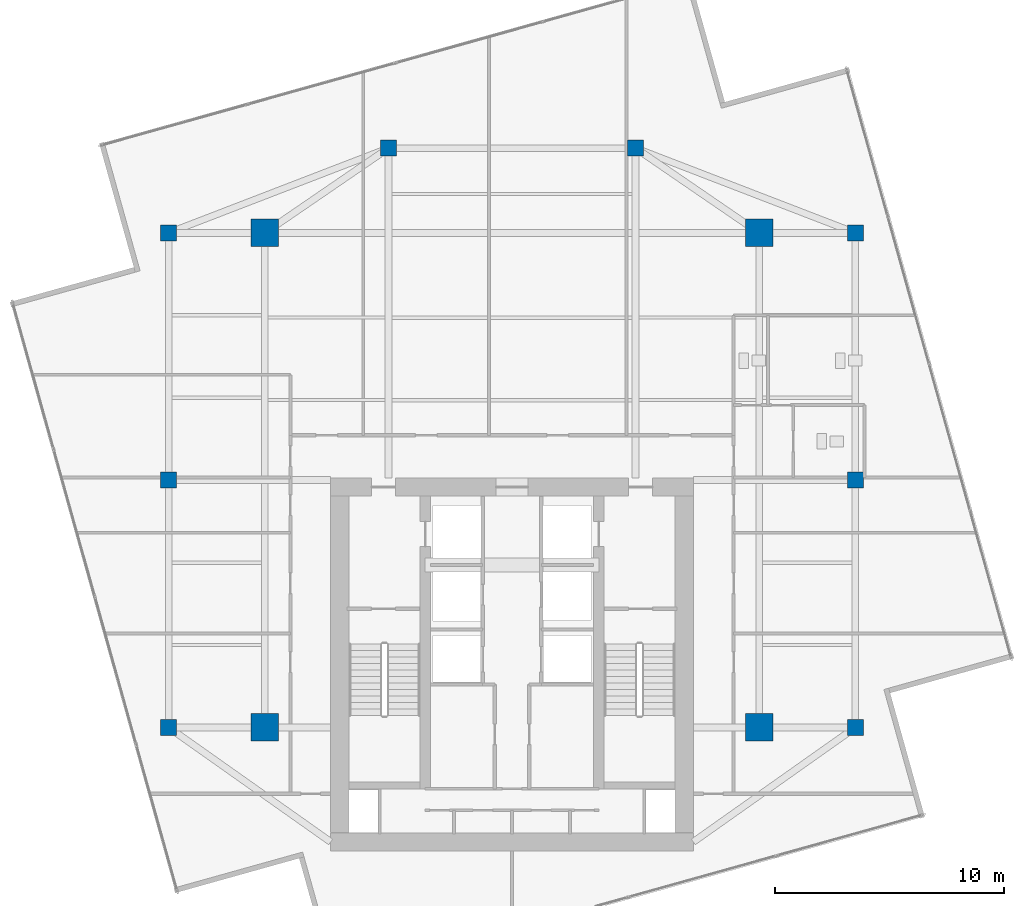
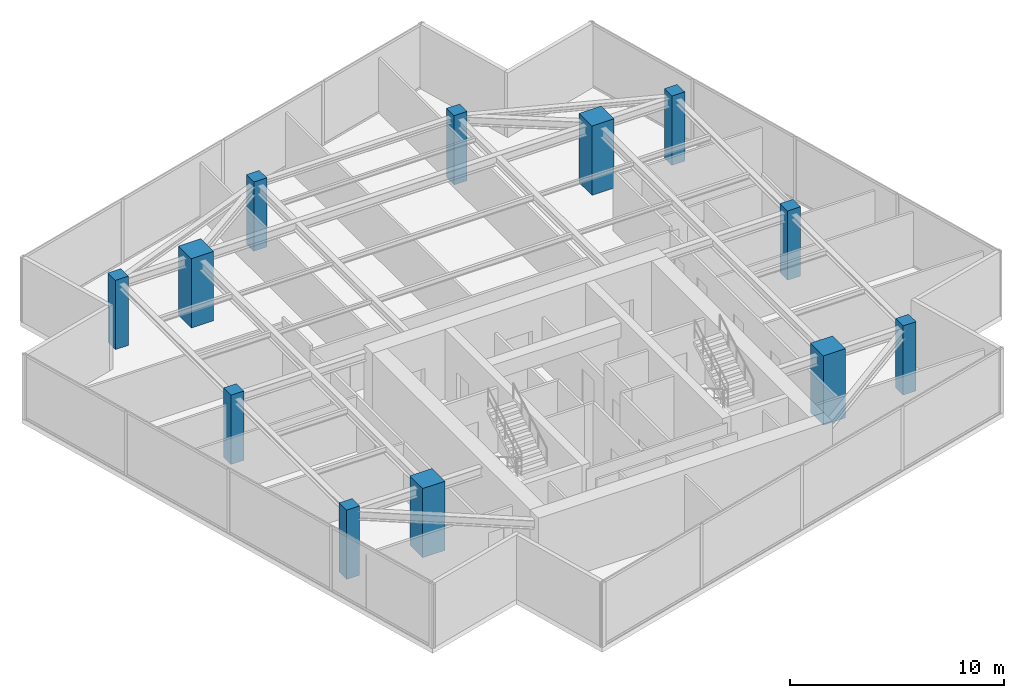
# One storey, part 1 of 21: 12 columns.
"""IFC4 building model written with IfcOpenShell, lengths in metres."""

from ifc_helpers import new_model, si_unit, direction, frame, origin, origin_2d, place, context, subcontext, project, spatial, rectangle, extrude, source, transform, mapped, material, material_profile, profile_set, type_object, type_shapes, element, save


model = new_model("IFC4")

# Units and contexts
model_context = context("Model", 3, precision=1e-05, world=origin(), true_north=direction((0.0, 1.0)))
body_context = subcontext(model_context, "Body", "Model", "MODEL_VIEW")
ifc_project = project(units=[si_unit("LENGTHUNIT", "METRE"), si_unit("AREAUNIT", "SQUARE_METRE"), si_unit("VOLUMEUNIT", "CUBIC_METRE"), si_unit("PLANEANGLEUNIT", "RADIAN"), si_unit("MASSUNIT", "GRAM", prefix="KILO")], contexts=[model_context])

# Site, building, storey
site_placement = place(None, origin())
site = spatial("IfcSite", under=ifc_project, at=site_placement, CompositionType="ELEMENT")
building_placement = place(site_placement, origin())
building = spatial("IfcBuilding", under=site, at=building_placement, Name="Krantzveldt Concourse Tower", CompositionType="ELEMENT")
storey_placement = place(building_placement, frame((0.0, 0.0, 347.449951171875)))
storey = spatial("IfcBuildingStorey", under=building, at=storey_placement, Name="L85", CompositionType="ELEMENT", Elevation=347.449951171875)

# Columns
ifc_material = material(Name="Concrete C50/60", Category="concrete")
ifc_material_profile_1 = material_profile(ifc_material, rectangle(XDim=1.199951171875, YDim=1.199951171875, at=origin_2d()), Name="Concrete C50/60", Category="concrete")
ifc_profile_set_1 = profile_set([ifc_material_profile_1], Name="Concrete C50/60 - RC 1200x1200")
column_type_1 = type_object("IfcColumnType", Name="COL-MC-1200", PredefinedType="USERDEFINED", material=ifc_profile_set_1)
shared_shape_1 = source(origin(), body_context, "Body", "SweptSolid", [
    extrude(rectangle(XDim=1.199951171875, YDim=1.199951171875, at=origin_2d()), origin(), (0.0, 0.0, 1.0), 3.949951171875),
])
type_shapes(column_type_1, [shared_shape_1])
for number, where, z_axis, x_axis, name in (
    (1, (25.199951171875, 15.89990234375, 0.0), (0.0, 0.0, 1.0), (1.0, 0.0, 0.0), "MC-SW-L85"),
    (2, (46.800048828125, 15.89990234375, 0.0), (0.0, 0.0, 1.0), (1.0, 0.0, 0.0), "MC-SE-L85"),
    (3, (46.800048828125, 37.5, 0.0), (0.0, 0.0, 1.0), (1.0, 0.0, 0.0), "MC-NE-L85"),
    (4, (25.199951171875, 37.5, 0.0), (0.0, 0.0, 1.0), (1.0, 0.0, 0.0), "MC-NW-L85"),
):
    element("IfcColumn", number, at=place(storey_placement, frame(where, z_axis=z_axis, x_axis=x_axis)), inside=storey, type_object=column_type_1, Name=name, ObjectType="MEGA COLUMN", PredefinedType="USERDEFINED", context=body_context, shape_type="MappedRepresentation", body=[
        mapped(shared_shape_1, transform((0.0, 0.0, 0.0), x_axis=(1.0, 0.0, 0.0), y_axis=(0.0, 1.0, 0.0), z_axis=(0.0, 0.0, 1.0), scale=1.0)),
    ])
ifc_material_profile_2 = material_profile(ifc_material, rectangle(XDim=0.699951171875, YDim=0.699951171875, at=origin_2d()), Name="Concrete C50/60", Category="concrete")
ifc_profile_set_2 = profile_set([ifc_material_profile_2], Name="Concrete C50/60 - RC 700x700")
column_type_2 = type_object("IfcColumnType", Name="COL-C-Z6", PredefinedType="COLUMN", material=ifc_profile_set_2)
shared_shape_2 = source(origin(), body_context, "Body", "SweptSolid", [
    extrude(rectangle(XDim=0.699951171875, YDim=0.699951171875, at=origin_2d()), origin(), (0.0, 0.0, 1.0), 3.949951171875),
])
type_shapes(column_type_2, [shared_shape_2])
for number, where, z_axis, x_axis, name in (
    (5, (21.0, 15.89990234375, 0.0), (0.0, 0.0, 1.0), (1.0, 0.0, 0.0), "PC-R01-L85"),
    (6, (21.0, 26.699951171875, 0.0), (0.0, 0.0, 1.0), (1.0, 0.0, 0.0), "PC-R02-L85"),
    (7, (21.0, 37.5, 0.0), (0.0, 0.0, 1.0), (1.0, 0.0, 0.0), "PC-R03-L85"),
    (8, (30.60009765625, 41.199951171875, 0.0), (0.0, 0.0, 1.0), (1.0, 0.0, 0.0), "PC-R04-L85"),
    (9, (41.39990234375, 41.199951171875, 0.0), (0.0, 0.0, 1.0), (1.0, 0.0, 0.0), "PC-R05-L85"),
    (10, (51.0, 37.5, 0.0), (0.0, 0.0, 1.0), (1.0, 0.0, 0.0), "PC-R06-L85"),
    (11, (51.0, 26.699951171875, 0.0), (0.0, 0.0, 1.0), (1.0, 0.0, 0.0), "PC-R07-L85"),
    (12, (51.0, 15.89990234375, 0.0), (0.0, 0.0, 1.0), (1.0, 0.0, 0.0), "PC-R08-L85"),
):
    element("IfcColumn", number, at=place(storey_placement, frame(where, z_axis=z_axis, x_axis=x_axis)), inside=storey, type_object=column_type_2, Name=name, PredefinedType="COLUMN", context=body_context, shape_type="MappedRepresentation", body=[
        mapped(shared_shape_2, transform((0.0, 0.0, 0.0), x_axis=(1.0, 0.0, 0.0), y_axis=(0.0, 1.0, 0.0), z_axis=(0.0, 0.0, 1.0), scale=1.0)),
    ])

save(model, "model.ifc")
